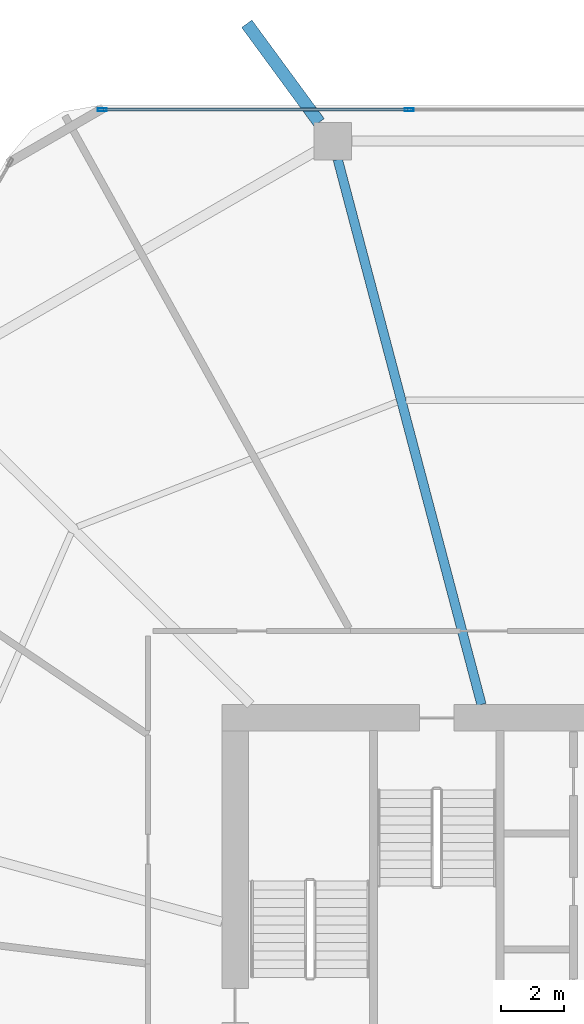
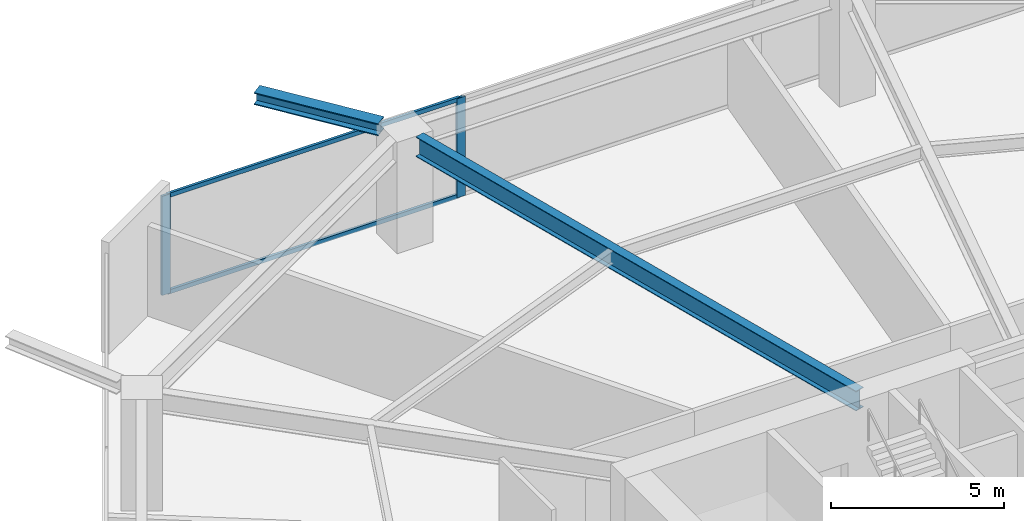
# One storey, part 15 of 25: 4 members, 2 beams, 1 element without a shape of its own.
"""IFC4 building model written with IfcOpenShell, lengths in metres."""

import ifcopenshell
import ifcopenshell.guid

model = None  # the IFC model being written
_history = None  # IfcOwnerHistory: only IFC2X3 demands one
_inside = {}  # id of a spatial element -> (the spatial element, [elements in it])
_under = {}  # id of a project, library or spatial element -> (it, [spatial elements below it])
_declared = {}  # id of a project -> (the project, [libraries it declares])
_typed = {}  # id of a type object -> (the type object, [elements of that type])
_made_of = {}  # id of a material, layer set ... -> (it, [elements and type objects made of it])


def new_model(schema):
    """Start an empty IFC model of exactly this schema.

    Asked for "IFC4X3", IfcOpenShell would pick the latest addendum, in which some entities
    have other attributes; the version numbers below select the first issue.
    IFC2X3 requires an IfcOwnerHistory on every rooted entity: one is made here for all.
    """
    global model, _history
    if schema == "IFC4X3":
        model = ifcopenshell.file(schema_version=(4, 3, 0, 0))
    else:
        model = ifcopenshell.file(schema=schema)
    _inside.clear()
    _under.clear()
    _declared.clear()
    _typed.clear()
    _made_of.clear()
    _history = None
    if model.schema == "IFC2X3":
        org = make("IfcOrganization", Name="unknown")
        user = make(
            "IfcPersonAndOrganization",
            ThePerson=make("IfcPerson", FamilyName="unknown"),
            TheOrganization=org,
        )
        app = make(
            "IfcApplication",
            ApplicationDeveloper=org,
            Version="unknown",
            ApplicationFullName="unknown",
            ApplicationIdentifier="unknown",
        )
        _history = make(
            "IfcOwnerHistory",
            OwningUser=user,
            OwningApplication=app,
            ChangeAction="ADDED",
            CreationDate=0,
        )
    return model


def make(cls, **values):
    """One entity of the class cls with the attributes given. An attribute that is None is left unset."""
    return model.create_entity(
        cls, **{name: value for name, value in values.items() if value is not None}
    )


def rooted(cls, **values):
    """An entity with a GlobalId (a new one), such as an element, a storey or a relation."""
    return make(cls, GlobalId=ifcopenshell.guid.new(), OwnerHistory=_history, **values)


def si_unit(unit_type, name, prefix=None):
    """IfcSIUnit, for example si_unit("LENGTHUNIT", "METRE", prefix="MILLI")."""
    return make("IfcSIUnit", UnitType=unit_type, Prefix=prefix, Name=name)


def assignment(units):
    """IfcUnitAssignment: the units of a project."""
    return None if units is None else make("IfcUnitAssignment", Units=units)


def point(xyz):
    """IfcCartesianPoint."""
    return None if xyz is None else make("IfcCartesianPoint", Coordinates=xyz)


def direction(xyz):
    """IfcDirection."""
    return None if xyz is None else make("IfcDirection", DirectionRatios=xyz)


def frame(location, z_axis=None, x_axis=None):
    """IfcAxis2Placement3D, a coordinate frame: its origin and axes. An axis left out is left unset."""
    return make(
        "IfcAxis2Placement3D",
        Location=point(location),
        Axis=direction(z_axis),
        RefDirection=direction(x_axis),
    )


def frame_2d(location, x_axis=None):
    """IfcAxis2Placement2D, a coordinate frame in the plane: its origin and x axis."""
    return make(
        "IfcAxis2Placement2D", Location=point(location), RefDirection=direction(x_axis)
    )


def origin():
    """The frame at (0, 0, 0) with its axes left unset."""
    return frame((0.0, 0.0, 0.0))


def origin_2d():
    """The frame at (0, 0) in the plane with its x axis left unset."""
    return frame_2d((0.0, 0.0))


def place(relative_to, where):
    """IfcLocalPlacement: puts the frame where relative to a parent placement (None: the world)."""
    return make(
        "IfcLocalPlacement", PlacementRelTo=relative_to, RelativePlacement=where
    )


def context(
    kind, dimensions, precision=None, world=None, true_north=None, identifier=None
):
    """IfcGeometricRepresentationContext, for example the 3D "Model" context."""
    return make(
        "IfcGeometricRepresentationContext",
        ContextIdentifier=identifier,
        ContextType=kind,
        CoordinateSpaceDimension=dimensions,
        Precision=precision,
        WorldCoordinateSystem=world,
        TrueNorth=true_north,
    )


def subcontext(parent, identifier, kind, view, scale=None):
    """IfcGeometricRepresentationSubContext, for example "Body" below "Model"."""
    return make(
        "IfcGeometricRepresentationSubContext",
        ContextIdentifier=identifier,
        ContextType=kind,
        ParentContext=parent,
        TargetScale=scale,
        TargetView=view,
    )


def project(units=None, contexts=None):
    """IfcProject with its units and contexts."""
    return rooted(
        "IfcProject",
        Name="project",
        RepresentationContexts=contexts,
        UnitsInContext=assignment(units),
    )


def spatial(cls, under=None, at=None, **own):
    """A site, building, storey or space (cls), placed at a placement, below another one or the project."""
    s = rooted(cls, ObjectPlacement=at, **own)
    if under is not None:
        _under.setdefault(under.id(), (under, []))[1].append(s)
    return s


def profile(cls, at=None, kind="AREA", **sizes):
    """A parametric profile (cls). Its sizes go by their IFC names, for example OverallWidth=200.0."""
    return make(cls, ProfileType=kind, Position=at, **sizes)


def hollow_rectangle(**sizes):
    """IfcRectangleHollowProfileDef."""
    return profile("IfcRectangleHollowProfileDef", **sizes)


def i_section(**sizes):
    """IfcIShapeProfileDef."""
    return profile("IfcIShapeProfileDef", **sizes)


def extrude(swept, where, along, depth):
    """IfcExtrudedAreaSolid: the profile swept, set in the frame where, extruded along a direction by depth."""
    return make(
        "IfcExtrudedAreaSolid",
        SweptArea=swept,
        Position=where,
        ExtrudedDirection=direction(along),
        Depth=depth,
    )


def shape(context_of_items, identifier, shape_type, items):
    """IfcShapeRepresentation: the items that make up one representation, for example the "Body"."""
    return make(
        "IfcShapeRepresentation",
        ContextOfItems=context_of_items,
        RepresentationIdentifier=identifier,
        RepresentationType=shape_type,
        Items=items,
    )


def material(Name=None, Category=None):
    """IfcMaterial."""
    return make("IfcMaterial", Name=Name, Category=Category)


def material_profile(
    of_material, cross_section, Name=None, Category=None, Priority=None
):
    """IfcMaterialProfile: a cross section and its material."""
    return make(
        "IfcMaterialProfile",
        Name=Name,
        Material=of_material,
        Profile=cross_section,
        Priority=Priority,
        Category=Category,
    )


def profile_set(profiles, Name=None, composite=None):
    """IfcMaterialProfileSet."""
    return make(
        "IfcMaterialProfileSet",
        Name=Name,
        MaterialProfiles=profiles,
        CompositeProfile=composite,
    )


def made_of(thing, what):
    """Note that an element or type object is made of a material, layer set ...; save() writes the relation."""
    if what is not None:
        _made_of.setdefault(what.id(), (what, []))[1].append(thing)
    return thing


def type_object(cls, material=None, **own):
    """A type object (cls), such as IfcWallType, which elements share."""
    return made_of(rooted(cls, **own), material)


def element(
    cls,
    number,
    at=None,
    inside=None,
    cuts=None,
    type_object=None,
    material=None,
    context=None,
    identifier="Body",
    shape_type=None,
    held_by="IfcProductDefinitionShape",
    body=None,
    shapes=None,
    **own,
):
    """One element of the class cls, such as IfcWall. Its Tag is "e" and its number.

    at: its placement. inside: the storey or other place that contains it. cuts: it is an
    opening in that element (IfcRelVoidsElement). A single representation is given by context,
    identifier, shape_type and body (its items); several are given by shapes. held_by: the class
    of the entity that holds the representations. save() writes the other relations.
    """
    e = rooted(cls, Tag="e%d" % number, ObjectPlacement=at, **own)
    if body is not None:
        shapes = [shape(context, identifier, shape_type, body)]
    if shapes is not None:
        e.Representation = make(held_by, Representations=shapes)
    if inside is not None:
        _inside.setdefault(inside.id(), (inside, []))[1].append(e)
    if cuts is not None:
        rooted(
            "IfcRelVoidsElement", RelatingBuildingElement=cuts, RelatedOpeningElement=e
        )
    if type_object is not None:
        _typed.setdefault(type_object.id(), (type_object, []))[1].append(e)
    return made_of(e, material)


def aggregate(whole, parts):
    """IfcRelAggregates: a whole, such as a stair, and the parts it consists of."""
    return rooted("IfcRelAggregates", RelatingObject=whole, RelatedObjects=parts)


def save(model, path):
    """Write the relations noted so far, then the file.

    IfcRelAggregates (storeys below a building ...), IfcRelContainedInSpatialStructure (elements
    in a storey), IfcRelDefinesByType, IfcRelAssociatesMaterial and IfcRelDeclares: one each for
    every whole, place, type object, material and project.
    """
    for whole, parts in _under.values():
        aggregate(whole, parts)
    for where, things in _inside.values():
        rooted(
            "IfcRelContainedInSpatialStructure",
            RelatedElements=things,
            RelatingStructure=where,
        )
    for kind, things in _typed.values():
        rooted("IfcRelDefinesByType", RelatedObjects=things, RelatingType=kind)
    for what, things in _made_of.values():
        rooted("IfcRelAssociatesMaterial", RelatedObjects=things, RelatingMaterial=what)
    for by, libraries in _declared.values():
        rooted("IfcRelDeclares", RelatingContext=by, RelatedDefinitions=libraries)
    model.write(path)


model = new_model("IFC4")

# Units and contexts
model_context = context("Model", 3, precision=1e-05, world=origin(), true_north=direction((0.0, 1.0)))
body_context = subcontext(model_context, "Body", "Model", "MODEL_VIEW")
ifc_project = project(units=[si_unit("LENGTHUNIT", "METRE"), si_unit("AREAUNIT", "SQUARE_METRE"), si_unit("VOLUMEUNIT", "CUBIC_METRE"), si_unit("PLANEANGLEUNIT", "RADIAN"), si_unit("MASSUNIT", "GRAM", prefix="KILO")], contexts=[model_context])

# Site, building, storey
site_placement = place(None, origin())
site = spatial("IfcSite", under=ifc_project, at=site_placement, CompositionType="ELEMENT")
building_placement = place(site_placement, origin())
building = spatial("IfcBuilding", under=site, at=building_placement, Name="Zuhravey Tower", CompositionType="ELEMENT")
storey_placement = place(building_placement, frame((0.0, 0.0, 20.39990234375)))
storey = spatial("IfcBuildingStorey", under=building, at=storey_placement, Name="L05", CompositionType="ELEMENT", Elevation=20.39990234375)

# Curtain wall, members
ifc_material_1 = material(Name="Thermally broken anodised aluminium", Category="aluminium")
curtain_wall_type = type_object("IfcCurtainWallType", Name="School Low-E Unitised Curtain Wall CW1", PredefinedType="NOTDEFINED", material=ifc_material_1)
curtain_wall_placement = place(storey_placement, origin())
curtain_wall = element("IfcCurtainWall", 1, at=curtain_wall_placement, inside=storey, type_object=curtain_wall_type, Name="L05 CW1 CW-L05-F2-1", PredefinedType="NOTDEFINED")
ifc_material_2 = material(Name="Anodised aluminium", Category="aluminium")
ifc_material_profile_1 = material_profile(ifc_material_2, hollow_rectangle(XDim=0.090087890625, YDim=0.284912109375, WallThickness=0.0048828125, at=origin_2d()), Name="ALU-RHS-90x285x5")
ifc_profile_set_1 = profile_set([ifc_material_profile_1], Name="Anodised aluminium")
member_type_1 = type_object("IfcMemberType", Name="Curtain-Wall Mullion 90x180", PredefinedType="MULLION", material=ifc_profile_set_1)
member_1_placement = place(storey_placement, frame((21.24560546875, 60.95849609375, 0.0), z_axis=(0.0, 0.0, 1.0), x_axis=(0.0, 1.0, 0.0)))
member_1 = element("IfcMember", 2, at=member_1_placement, type_object=member_type_1, Name="CW1 mullion 1", PredefinedType="MULLION", context=body_context, shape_type="SweptSolid", body=[
    extrude(hollow_rectangle(XDim=0.090087890625, YDim=0.284912109375, WallThickness=0.0048828125, at=origin_2d()), origin(), (0.0, 0.0, 1.0), 3.4921875),
])
member_2_placement = place(storey_placement, frame((31.06689453125, 60.95849609375, 0.0), z_axis=(0.0, 0.0, 1.0), x_axis=(0.0, 1.0, 0.0)))
member_2 = element("IfcMember", 3, at=member_2_placement, type_object=member_type_1, Name="CW1 mullion 2", PredefinedType="MULLION", context=body_context, shape_type="SweptSolid", body=[
    extrude(hollow_rectangle(XDim=0.090087890625, YDim=0.284912109375, WallThickness=0.0048828125, at=origin_2d()), origin(), (0.0, 0.0, 1.0), 3.4921875),
])
ifc_material_profile_2 = material_profile(ifc_material_2, hollow_rectangle(XDim=0.090087890625, YDim=0.14990234375, WallThickness=0.0048828125, at=origin_2d()), Name="ALU-RHS-90x150x5")
ifc_profile_set_2 = profile_set([ifc_material_profile_2], Name="Anodised aluminium")
member_type_2 = type_object("IfcMemberType", Name="Curtain-Wall Transom 90x150", PredefinedType="USERDEFINED", material=ifc_profile_set_2)
member_3_placement = place(storey_placement, frame((21.29052734375, 60.95849609375, 0.045166015625), z_axis=(1.0, 0.0, 0.0), x_axis=(0.0, 1.0, 0.0)))
member_3 = element("IfcMember", 4, at=member_3_placement, type_object=member_type_2, Name="CW1 transom 1.1", ObjectType="TRANSOM", PredefinedType="USERDEFINED", context=body_context, shape_type="SweptSolid", body=[
    extrude(hollow_rectangle(XDim=0.090087890625, YDim=0.14990234375, WallThickness=0.0048828125, at=origin_2d()), origin(), (0.0, 0.0, 1.0), 9.731201171875),
])
member_4_placement = place(storey_placement, frame((21.29052734375, 60.95849609375, 3.447021484375), z_axis=(1.0, 0.0, 0.0), x_axis=(0.0, 1.0, 0.0)))
member_4 = element("IfcMember", 5, at=member_4_placement, type_object=member_type_2, Name="CW1 transom 1.2", ObjectType="TRANSOM", PredefinedType="USERDEFINED", context=body_context, shape_type="SweptSolid", body=[
    extrude(hollow_rectangle(XDim=0.090087890625, YDim=0.14990234375, WallThickness=0.0048828125, at=origin_2d()), origin(), (0.0, 0.0, 1.0), 9.731201171875),
])
aggregate(curtain_wall, [member_1, member_2, member_3, member_4])

# Beams
ifc_material_3 = material(Name="Steel SM460", Category="steel")
ifc_material_profile_3 = material_profile(ifc_material_3, i_section(OverallWidth=0.406982421875, OverallDepth=0.427978515625, WebThickness=0.02001953125, FlangeThickness=0.034912109375, at=origin_2d()), Name="H-428x407x20x35")
ifc_profile_set_3 = profile_set([ifc_material_profile_3], Name="Steel SM460")
beam_type_1 = type_object("IfcBeamType", Name="Exoskeleton Node Tie Beam H428x407", PredefinedType="BEAM", material=ifc_profile_set_3)
beam_1_placement = place(storey_placement, frame((28.187255859375, 60.5517578125, 3.7060546875), z_axis=(-0.591671978423, 0.806178807678, 0.0), x_axis=(-0.806178807678, -0.591671978423, 0.0)))
element("IfcBeam", 6, at=beam_1_placement, inside=storey, type_object=beam_type_1, Name="L05 Exoskeleton Node Tie NT1-04", PredefinedType="BEAM", context=body_context, shape_type="SweptSolid", body=[
    extrude(i_section(OverallWidth=0.406982421875, OverallDepth=0.427978515625, WebThickness=0.02001953125, FlangeThickness=0.034912109375, at=origin_2d()), origin(), (0.0, 0.0, 1.0), 3.912841796875),
])
ifc_material_4 = material(Name="Steel SM355", Category="steel")
ifc_material_profile_4 = material_profile(ifc_material_4, i_section(OverallWidth=0.300048828125, OverallDepth=0.699951171875, WebThickness=0.012939453125, FlangeThickness=0.02392578125, at=origin_2d()), Name="H-700x300x13x24")
ifc_profile_set_4 = profile_set([ifc_material_profile_4], Name="Steel SM355")
beam_type_2 = type_object("IfcBeamType", Name="Radial Primary Girder H700x300", PredefinedType="BEAM", material=ifc_profile_set_4)
beam_2_placement = place(storey_placement, frame((33.382080078125, 41.927978515625, 3.570068359375), z_axis=(-0.254989720435, 0.966943763862, 0.0), x_axis=(-0.966943763862, -0.254989720435, 0.0)))
element("IfcBeam", 7, at=beam_2_placement, inside=storey, type_object=beam_type_2, Name="L05 RG1 BM-L05-RAD-04", PredefinedType="BEAM", context=body_context, shape_type="SweptSolid", body=[
    extrude(i_section(OverallWidth=0.300048828125, OverallDepth=0.699951171875, WebThickness=0.012939453125, FlangeThickness=0.02392578125, at=origin_2d()), origin(), (0.0, 0.0, 1.0), 18.03369140625),
])

save(model, "model.ifc")
